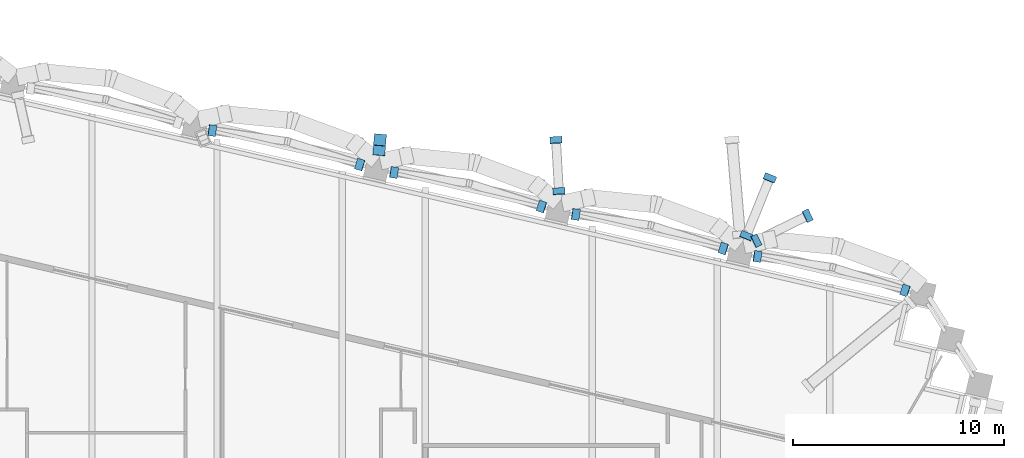
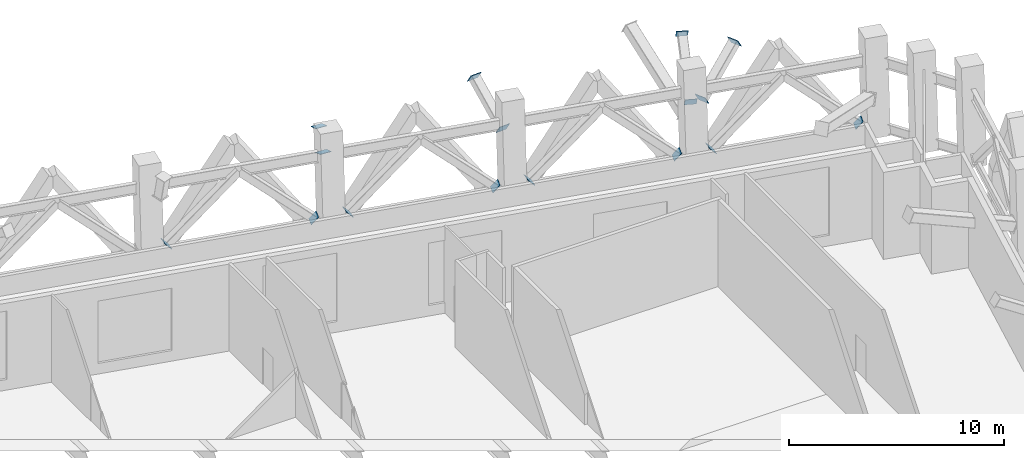
# One storey, part 16 of 19: 16 discrete accessories.
"""IFC4 building model written with IfcOpenShell, lengths in metres."""

from ifc_helpers import new_model, si_unit, direction, frame, origin, origin_2d, place, context, subcontext, project, spatial, rectangle, extrude, material, material_profile, profile_set, type_object, element, save


model = new_model("IFC4")

# Units and contexts
model_context = context("Model", 3, precision=1e-05, world=origin(), true_north=direction((0.0, 1.0)))
body_context = subcontext(model_context, "Body", "Model", "MODEL_VIEW")
ifc_project = project(units=[si_unit("LENGTHUNIT", "METRE"), si_unit("AREAUNIT", "SQUARE_METRE"), si_unit("VOLUMEUNIT", "CUBIC_METRE"), si_unit("PLANEANGLEUNIT", "RADIAN"), si_unit("MASSUNIT", "GRAM", prefix="KILO")], contexts=[model_context])

# Site, building, storey
site_placement = place(None, origin())
site = spatial("IfcSite", under=ifc_project, at=site_placement, CompositionType="ELEMENT")
building_placement = place(site_placement, origin())
building = spatial("IfcBuilding", under=site, at=building_placement, Name="Ogive Exchange Tower", CompositionType="ELEMENT")
storey_placement = place(building_placement, frame((0.0, 0.0, 297.60009765625)))
storey = spatial("IfcBuildingStorey", under=building, at=storey_placement, Name="L65", CompositionType="ELEMENT", Elevation=297.60009765625)

# Discrete accessories
ifc_material = material(Name="Steel ASTM A572 Gr50", Category="steel")
ifc_material_profile_1 = material_profile(ifc_material, rectangle(XDim=0.52587890625, YDim=0.52587890625, at=origin_2d()), Name="PL 526 x 526 x 25")
ifc_profile_set_1 = profile_set([ifc_material_profile_1], Name="Steel ASTM A572 Gr50")
discrete_accessory_type_1 = type_object("IfcDiscreteAccessoryType", Name="Gusset plate 526 x 526 x 25", PredefinedType="USERDEFINED", material=ifc_profile_set_1)
for number, where, z_axis, x_axis, name in (
    (1, (33.27001953125, 48.248046875, 0.66796875), (-0.701946456689, 0.23398215223, 0.67269868766), (-0.316227766017, -0.948683298051, 0.0), "Belt truss diagonal 18a end plate A"),
    (2, (26.253662109375, 49.867919921875, 0.66796875), (0.731681201613, -0.107313242903, 0.673146705484), (0.145114187428, 0.989414914284, 0.0), "Belt truss diagonal 18b end plate A"),
    (3, (24.64697265625, 50.239013671875, 0.66796875), (-0.708404073326, 0.223195803925, 0.669587411774), (-0.300506003221, -0.953779923267, 0.0), "Belt truss diagonal 19a end plate A"),
):
    element("IfcDiscreteAccessory", number, at=place(storey_placement, frame(where, z_axis=z_axis, x_axis=x_axis)), inside=storey, type_object=discrete_accessory_type_1, Name=name, ObjectType="GUSSET PLATE", PredefinedType="USERDEFINED", context=body_context, shape_type="SweptSolid", body=[
        extrude(rectangle(XDim=0.52587890625, YDim=0.52587890625, at=origin_2d()), origin(), (0.0, 0.0, 1.0), 0.025146484375),
    ])
for number, where, z_axis, x_axis, name in (
    (4, (17.630615234375, 51.85888671875, 0.66796875), (0.727099366724, -0.108082338297, 0.677971031135), (0.147033072186, 0.989131576527, 0.0), "Belt truss diagonal 19b end plate A"),
    (5, (16.023681640625, 52.229736328125, 0.66796875), (-0.703519616684, 0.224735433108, 0.674206299323), (-0.304295635957, -0.952577642997, 0.0), "Belt truss diagonal 20a end plate A"),
):
    element("IfcDiscreteAccessory", number, at=place(storey_placement, frame(where, z_axis=z_axis, x_axis=x_axis)), inside=storey, type_object=discrete_accessory_type_1, Name=name, ObjectType="GUSSET PLATE", PredefinedType="USERDEFINED", context=body_context, shape_type="SweptSolid", body=[
        extrude(rectangle(XDim=0.52587890625, YDim=0.52587890625, at=origin_2d()), origin(), (0.0, 0.0, 1.0), 0.02490234375),
    ])
discrete_accessory_1_placement = place(storey_placement, frame((9.00732421875, 53.849609375, 0.66796875), z_axis=(0.731681201613, -0.107313242903, 0.673146705484), x_axis=(0.145114187428, 0.989414914284, 0.0)))
element("IfcDiscreteAccessory", 6, at=discrete_accessory_1_placement, inside=storey, type_object=discrete_accessory_type_1, Name="Belt truss diagonal 20b end plate A", ObjectType="GUSSET PLATE", PredefinedType="USERDEFINED", context=body_context, shape_type="SweptSolid", body=[
    extrude(rectangle(XDim=0.52587890625, YDim=0.52587890625, at=origin_2d()), origin(), (0.0, 0.0, 1.0), 0.025146484375),
])
for number, where, z_axis, x_axis, name in (
    (7, (7.400390625, 54.220703125, 0.66796875), (-0.703519616684, 0.224735433108, 0.674206299323), (-0.304295635957, -0.952577642997, 0.0), "Belt truss diagonal 21a end plate A"),
    (8, (0.38427734375, 55.84033203125, 0.66796875), (0.732413493241, -0.097655132432, 0.673820413781), (0.132163720091, 0.991227900683, 0.0), "Belt truss diagonal 21b end plate A"),
):
    element("IfcDiscreteAccessory", number, at=place(storey_placement, frame(where, z_axis=z_axis, x_axis=x_axis)), inside=storey, type_object=discrete_accessory_type_1, Name=name, ObjectType="GUSSET PLATE", PredefinedType="USERDEFINED", context=body_context, shape_type="SweptSolid", body=[
        extrude(rectangle(XDim=0.52587890625, YDim=0.52587890625, at=origin_2d()), origin(), (0.0, 0.0, 1.0), 0.02490234375),
    ])
ifc_material_profile_2 = material_profile(ifc_material, rectangle(XDim=0.576904296875, YDim=0.576904296875, at=origin_2d()), Name="PL 577 x 577 x 25")
ifc_profile_set_2 = profile_set([ifc_material_profile_2], Name="Steel ASTM A572 Gr50")
discrete_accessory_type_2 = type_object("IfcDiscreteAccessoryType", Name="Gusset plate 577 x 577 x 25", PredefinedType="USERDEFINED", material=ifc_profile_set_2)
discrete_accessory_2_placement = place(storey_placement, frame((26.194580078125, 50.604248046875, 3.0625), z_axis=(0.76727963968, 0.369071219087, 0.524469627123), x_axis=(-0.433472609952, 0.901166741742, 0.0)))
element("IfcDiscreteAccessory", 9, at=discrete_accessory_2_placement, inside=storey, type_object=discrete_accessory_type_2, Name="Block-change strut 15 end plate A", ObjectType="GUSSET PLATE", PredefinedType="USERDEFINED", context=body_context, shape_type="SweptSolid", body=[
    extrude(rectangle(XDim=0.576904296875, YDim=0.576904296875, at=origin_2d()), origin(), (0.0, 0.0, 1.0), 0.025146484375),
])
discrete_accessory_3_placement = place(storey_placement, frame((28.630859375, 51.790771484375, 4.742431640625), z_axis=(0.763240084796, 0.371834913106, 0.528396981782), x_axis=(-0.43796942328, 0.898989868837, 0.0)))
element("IfcDiscreteAccessory", 10, at=discrete_accessory_3_placement, inside=storey, type_object=discrete_accessory_type_2, Name="Block-change strut 15 end plate B", ObjectType="GUSSET PLATE", PredefinedType="USERDEFINED", context=body_context, shape_type="SweptSolid", body=[
    extrude(rectangle(XDim=0.576904296875, YDim=0.576904296875, at=origin_2d()), origin(), (0.0, 0.0, 1.0), 0.02490234375),
])
discrete_accessory_4_placement = place(storey_placement, frame((16.840576171875, 52.952880859375, 3.23583984375), z_axis=(-0.048771784515, 0.848629050564, 0.526735272764), x_axis=(-0.998352606703, -0.057376586592, 0.0)))
element("IfcDiscreteAccessory", 11, at=discrete_accessory_4_placement, inside=storey, type_object=discrete_accessory_type_2, Name="Block-change strut 17 end plate A", ObjectType="GUSSET PLATE", PredefinedType="USERDEFINED", context=body_context, shape_type="SweptSolid", body=[
    extrude(rectangle(XDim=0.576904296875, YDim=0.576904296875, at=origin_2d()), origin(), (0.0, 0.0, 1.0), 0.025146484375),
])
for number, where, z_axis, x_axis, name in (
    (12, (16.701171875, 55.37890625, 4.742431640625), (-0.049178213291, 0.845865268602, 0.531124703541), (-0.998314169879, -0.058041521505, 0.0), "Block-change strut 17 end plate B"),
    (13, (8.3134765625, 54.9248046875, 3.66552734375), (0.029307721615, 0.371231140462, 0.928077851155), (-0.996898148653, 0.07870248542, 0.0), "Block-change strut 18 end plate A"),
):
    element("IfcDiscreteAccessory", number, at=place(storey_placement, frame(where, z_axis=z_axis, x_axis=x_axis)), inside=storey, type_object=discrete_accessory_type_2, Name=name, ObjectType="GUSSET PLATE", PredefinedType="USERDEFINED", context=body_context, shape_type="SweptSolid", body=[
        extrude(rectangle(XDim=0.576904296875, YDim=0.576904296875, at=origin_2d()), origin(), (0.0, 0.0, 1.0), 0.02490234375),
    ])
for number, where, z_axis, x_axis, name in (
    (14, (8.349365234375, 55.390869140625, 4.84228515625), (0.02914682614, 0.359477522395, 0.932698436484), (-0.996729048115, 0.080815868766, 0.0), "Block-change strut 18 end plate B"),
    (15, (25.73193359375, 50.835205078125, 2.90673828125), (0.32103962298, 0.788006347314, 0.525337564876), (-0.92609235977, 0.377296887314, 0.0), "Block-change strut 32 end plate A"),
    (16, (26.842041015625, 53.580322265625, 4.742431640625), (0.32103962298, 0.788006347314, 0.525337564876), (-0.92609235977, 0.377296887314, 0.0), "Block-change strut 32 end plate B"),
):
    element("IfcDiscreteAccessory", number, at=place(storey_placement, frame(where, z_axis=z_axis, x_axis=x_axis)), inside=storey, type_object=discrete_accessory_type_2, Name=name, ObjectType="GUSSET PLATE", PredefinedType="USERDEFINED", context=body_context, shape_type="SweptSolid", body=[
        extrude(rectangle(XDim=0.576904296875, YDim=0.576904296875, at=origin_2d()), origin(), (0.0, 0.0, 1.0), 0.025146484375),
    ])

save(model, "model.ifc")
